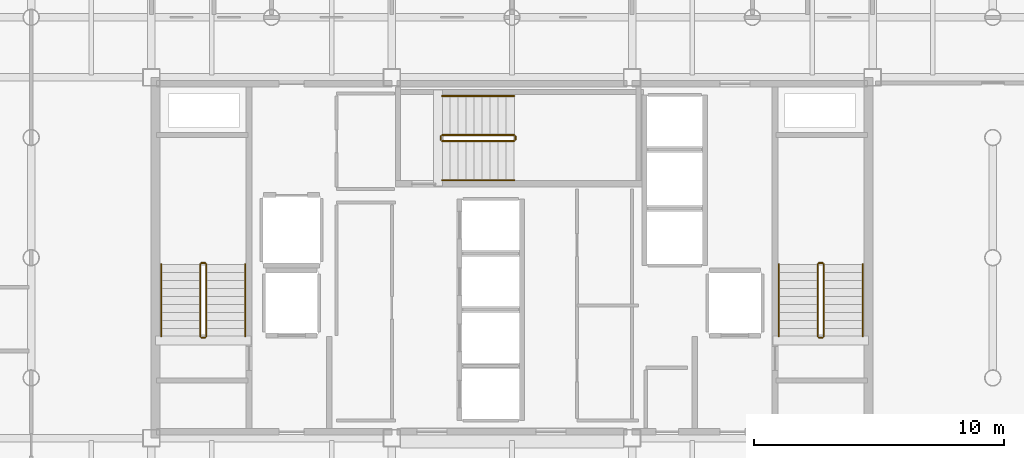
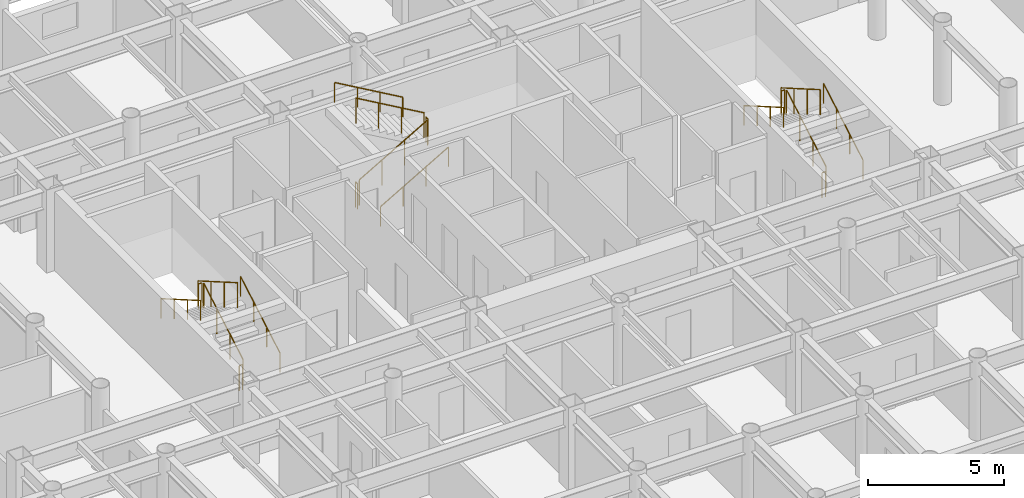
# One storey, part 20 of 20: 18 railings.
"""IFC4 building model written with IfcOpenShell, lengths in metres."""

from ifc_helpers import new_model, si_unit, direction, frame, origin, origin_2d, place, context, subcontext, project, spatial, circle, extrude, material, layer, layer_set, type_object, element, save


model = new_model("IFC4")

# Units and contexts
model_context = context("Model", 3, precision=1e-05, world=origin(), true_north=direction((0.0, 1.0)))
body_context = subcontext(model_context, "Body", "Model", "MODEL_VIEW")
ifc_project = project(units=[si_unit("LENGTHUNIT", "METRE"), si_unit("AREAUNIT", "SQUARE_METRE"), si_unit("VOLUMEUNIT", "CUBIC_METRE"), si_unit("PLANEANGLEUNIT", "RADIAN"), si_unit("MASSUNIT", "GRAM", prefix="KILO")], contexts=[model_context])

# Site, building, storey
site_placement = place(None, origin())
site = spatial("IfcSite", under=ifc_project, at=site_placement, CompositionType="ELEMENT")
building_placement = place(site_placement, origin())
building = spatial("IfcBuilding", under=site, at=building_placement, Name="Kallvorn Hotel Tower", CompositionType="ELEMENT")
storey_placement = place(building_placement, frame((0.0, 0.0, 158.10009765625)))
storey = spatial("IfcBuildingStorey", under=building, at=storey_placement, Name="L39", CompositionType="ELEMENT", Elevation=158.10009765625)

# Railings
ifc_material_1 = material(Name="Brushed stainless-steel tubular railing", Category="steel")
ifc_layer_1 = layer(ifc_material_1, 0.050048828125)
ifc_layer_set_1 = layer_set([ifc_layer_1], Name="RL_STAIR_GUARD")
railing_type_1 = type_object("IfcRailingType", Name="RL_STAIR_GUARD", PredefinedType="GUARDRAIL", material=ifc_layer_set_1)
railing_1_placement = place(storey_placement, frame((-12.2099609375, -3.139892578125, 0.184814453125)))
element("IfcRailing", 1, at=railing_1_placement, inside=storey, type_object=railing_type_1, Name="L39 ST1 stair guard 1", PredefinedType="GUARDRAIL", context=body_context, shape_type="SweptSolid", body=[
    extrude(circle(Radius=0.02392578125, at=origin_2d()), frame((0.0, 0.0, 1.1259765625), z_axis=(0.0, 0.865720918037, 0.500527014328), x_axis=(-1.0, 0.0, 0.0)), (0.0, 0.0, 1.0), 3.32666015625),
    extrude(circle(Radius=0.02099609375, at=origin_2d()), origin(), (0.0, 0.0, 1.0), 1.101806640625),
    extrude(circle(Radius=0.02099609375, at=origin_2d()), frame((0.0, 0.9599609375, 0.554931640625)), (0.0, 0.0, 1.0), 1.101806640625),
    extrude(circle(Radius=0.02099609375, at=origin_2d()), frame((0.0, 1.919921875, 1.110107421875)), (0.0, 0.0, 1.0), 1.101806640625),
    extrude(circle(Radius=0.02099609375, at=origin_2d()), frame((0.0, 2.8798828125, 1.6650390625)), (0.0, 0.0, 1.0), 1.101806640625),
])
railing_2_placement = place(storey_placement, frame((-12.260009765625, -0.2099609375, 1.849853515625)))
element("IfcRailing", 2, at=railing_2_placement, inside=storey, type_object=railing_type_1, Name="L39 ST1 stair guard 2", PredefinedType="GUARDRAIL", context=body_context, shape_type="SweptSolid", body=[
    extrude(circle(Radius=0.02392578125, at=origin_2d()), frame((0.0, 0.0, 1.1259765625), z_axis=(-1.0, 0.0, 0.0), x_axis=(0.0, -1.0, 0.0)), (0.0, 0.0, 1.0), 0.139892578125),
    extrude(circle(Radius=0.02099609375, at=origin_2d()), origin(), (0.0, 0.0, 1.0), 1.101806640625),
    extrude(circle(Radius=0.02099609375, at=origin_2d()), frame((-0.139892578125, 0.0, 0.0)), (0.0, 0.0, 1.0), 1.101806640625),
])
railing_3_placement = place(storey_placement, frame((-12.449951171875, -0.260009765625, 2.034912109375)))
element("IfcRailing", 3, at=railing_3_placement, inside=storey, type_object=railing_type_1, Name="L39 ST1 stair guard 3", PredefinedType="GUARDRAIL", context=body_context, shape_type="SweptSolid", body=[
    extrude(circle(Radius=0.02392578125, at=origin_2d()), frame((0.0, 0.0, 1.1259765625), z_axis=(0.0, -0.865720918037, 0.500527014328), x_axis=(1.0, 0.0, 0.0)), (0.0, 0.0, 1.0), 3.32666015625),
    extrude(circle(Radius=0.02099609375, at=origin_2d()), origin(), (0.0, 0.0, 1.0), 1.101806640625),
    extrude(circle(Radius=0.02099609375, at=origin_2d()), frame((0.0, -0.9599609375, 0.554931640625)), (0.0, 0.0, 1.0), 1.101806640625),
    extrude(circle(Radius=0.02099609375, at=origin_2d()), frame((0.0, -1.919921875, 1.110107421875)), (0.0, 0.0, 1.0), 1.101806640625),
    extrude(circle(Radius=0.02099609375, at=origin_2d()), frame((0.0, -2.8798828125, 1.6650390625)), (0.0, 0.0, 1.0), 1.101806640625),
])
railing_4_placement = place(storey_placement, frame((-12.260009765625, -3.18994140625, 0.0)))
element("IfcRailing", 4, at=railing_4_placement, inside=storey, type_object=railing_type_1, Name="L39 ST1 stair guard 4", PredefinedType="GUARDRAIL", context=body_context, shape_type="SweptSolid", body=[
    extrude(circle(Radius=0.02392578125, at=origin_2d()), frame((0.0, 0.0, 1.1259765625), z_axis=(-1.0, 0.0, 0.0), x_axis=(0.0, -1.0, 0.0)), (0.0, 0.0, 1.0), 0.139892578125),
    extrude(circle(Radius=0.02099609375, at=origin_2d()), origin(), (0.0, 0.0, 1.0), 1.101806640625),
    extrude(circle(Radius=0.02099609375, at=origin_2d()), frame((-0.139892578125, 0.0, 0.0)), (0.0, 0.0, 1.0), 1.101806640625),
])
railing_5_placement = place(storey_placement, frame((12.449951171875, -3.139892578125, 0.184814453125)))
element("IfcRailing", 5, at=railing_5_placement, inside=storey, type_object=railing_type_1, Name="L39 ST2 stair guard 1", PredefinedType="GUARDRAIL", context=body_context, shape_type="SweptSolid", body=[
    extrude(circle(Radius=0.02392578125, at=origin_2d()), frame((0.0, 0.0, 1.1259765625), z_axis=(0.0, 0.865720918037, 0.500527014328), x_axis=(-1.0, 0.0, 0.0)), (0.0, 0.0, 1.0), 3.32666015625),
    extrude(circle(Radius=0.02099609375, at=origin_2d()), origin(), (0.0, 0.0, 1.0), 1.101806640625),
    extrude(circle(Radius=0.02099609375, at=origin_2d()), frame((0.0, 0.9599609375, 0.554931640625)), (0.0, 0.0, 1.0), 1.101806640625),
    extrude(circle(Radius=0.02099609375, at=origin_2d()), frame((0.0, 1.919921875, 1.110107421875)), (0.0, 0.0, 1.0), 1.101806640625),
    extrude(circle(Radius=0.02099609375, at=origin_2d()), frame((0.0, 2.8798828125, 1.6650390625)), (0.0, 0.0, 1.0), 1.101806640625),
])
railing_6_placement = place(storey_placement, frame((12.39990234375, -0.2099609375, 1.849853515625)))
element("IfcRailing", 6, at=railing_6_placement, inside=storey, type_object=railing_type_1, Name="L39 ST2 stair guard 2", PredefinedType="GUARDRAIL", context=body_context, shape_type="SweptSolid", body=[
    extrude(circle(Radius=0.02392578125, at=origin_2d()), frame((0.0, 0.0, 1.1259765625), z_axis=(-1.0, 0.0, 0.0), x_axis=(0.0, -1.0, 0.0)), (0.0, 0.0, 1.0), 0.139892578125),
    extrude(circle(Radius=0.02099609375, at=origin_2d()), origin(), (0.0, 0.0, 1.0), 1.101806640625),
    extrude(circle(Radius=0.02099609375, at=origin_2d()), frame((-0.139892578125, 0.0, 0.0)), (0.0, 0.0, 1.0), 1.101806640625),
])
railing_7_placement = place(storey_placement, frame((12.2099609375, -0.260009765625, 2.034912109375)))
element("IfcRailing", 7, at=railing_7_placement, inside=storey, type_object=railing_type_1, Name="L39 ST2 stair guard 3", PredefinedType="GUARDRAIL", context=body_context, shape_type="SweptSolid", body=[
    extrude(circle(Radius=0.02392578125, at=origin_2d()), frame((0.0, 0.0, 1.1259765625), z_axis=(0.0, -0.865720918037, 0.500527014328), x_axis=(1.0, 0.0, 0.0)), (0.0, 0.0, 1.0), 3.32666015625),
    extrude(circle(Radius=0.02099609375, at=origin_2d()), origin(), (0.0, 0.0, 1.0), 1.101806640625),
    extrude(circle(Radius=0.02099609375, at=origin_2d()), frame((0.0, -0.9599609375, 0.554931640625)), (0.0, 0.0, 1.0), 1.101806640625),
    extrude(circle(Radius=0.02099609375, at=origin_2d()), frame((0.0, -1.919921875, 1.110107421875)), (0.0, 0.0, 1.0), 1.101806640625),
    extrude(circle(Radius=0.02099609375, at=origin_2d()), frame((0.0, -2.8798828125, 1.6650390625)), (0.0, 0.0, 1.0), 1.101806640625),
])
railing_8_placement = place(storey_placement, frame((12.39990234375, -3.18994140625, 0.0)))
element("IfcRailing", 8, at=railing_8_placement, inside=storey, type_object=railing_type_1, Name="L39 ST2 stair guard 4", PredefinedType="GUARDRAIL", context=body_context, shape_type="SweptSolid", body=[
    extrude(circle(Radius=0.02392578125, at=origin_2d()), frame((0.0, 0.0, 1.1259765625), z_axis=(-1.0, 0.0, 0.0), x_axis=(0.0, -1.0, 0.0)), (0.0, 0.0, 1.0), 0.139892578125),
    extrude(circle(Radius=0.02099609375, at=origin_2d()), origin(), (0.0, 0.0, 1.0), 1.101806640625),
    extrude(circle(Radius=0.02099609375, at=origin_2d()), frame((-0.139892578125, 0.0, 0.0)), (0.0, 0.0, 1.0), 1.101806640625),
])
railing_9_placement = place(storey_placement, frame((-2.7900390625, 4.659912109375, 0.184814453125)))
element("IfcRailing", 9, at=railing_9_placement, inside=storey, type_object=railing_type_1, Name="L39 ST3 stair guard 1", PredefinedType="GUARDRAIL", context=body_context, shape_type="SweptSolid", body=[
    extrude(circle(Radius=0.02392578125, at=origin_2d()), frame((0.0, 0.0, 1.1259765625), z_axis=(0.865739302748, 0.0, 0.50049521444), x_axis=(0.0, 1.0, 0.0)), (0.0, 0.0, 1.0), 3.326904296875),
    extrude(circle(Radius=0.02099609375, at=origin_2d()), origin(), (0.0, 0.0, 1.0), 1.101806640625),
    extrude(circle(Radius=0.02099609375, at=origin_2d()), frame((0.9599609375, 0.0, 0.554931640625)), (0.0, 0.0, 1.0), 1.101806640625),
    extrude(circle(Radius=0.02099609375, at=origin_2d()), frame((1.920166015625, 0.0, 1.110107421875)), (0.0, 0.0, 1.0), 1.101806640625),
    extrude(circle(Radius=0.02099609375, at=origin_2d()), frame((2.880126953125, 0.0, 1.6650390625)), (0.0, 0.0, 1.0), 1.101806640625),
])
railing_10_placement = place(storey_placement, frame((0.139892578125, 4.7099609375, 1.849853515625)))
element("IfcRailing", 10, at=railing_10_placement, inside=storey, type_object=railing_type_1, Name="L39 ST3 stair guard 2", PredefinedType="GUARDRAIL", context=body_context, shape_type="SweptSolid", body=[
    extrude(circle(Radius=0.02392578125, at=origin_2d()), frame((0.0, 0.0, 1.1259765625), z_axis=(0.0, 1.0, 0.0), x_axis=(-1.0, 0.0, 0.0)), (0.0, 0.0, 1.0), 0.14013671875),
    extrude(circle(Radius=0.02099609375, at=origin_2d()), origin(), (0.0, 0.0, 1.0), 1.101806640625),
    extrude(circle(Radius=0.02099609375, at=origin_2d()), frame((0.0, 0.14013671875, 0.0)), (0.0, 0.0, 1.0), 1.101806640625),
])
railing_11_placement = place(storey_placement, frame((0.090087890625, 4.89990234375, 2.034912109375)))
element("IfcRailing", 11, at=railing_11_placement, inside=storey, type_object=railing_type_1, Name="L39 ST3 stair guard 3", PredefinedType="GUARDRAIL", context=body_context, shape_type="SweptSolid", body=[
    extrude(circle(Radius=0.02392578125, at=origin_2d()), frame((0.0, 0.0, 1.1259765625), z_axis=(-0.865739302748, 0.0, 0.50049521444), x_axis=(0.0, -1.0, 0.0)), (0.0, 0.0, 1.0), 3.326904296875),
    extrude(circle(Radius=0.02099609375, at=origin_2d()), origin(), (0.0, 0.0, 1.0), 1.101806640625),
    extrude(circle(Radius=0.02099609375, at=origin_2d()), frame((-0.9599609375, 0.0, 0.554931640625)), (0.0, 0.0, 1.0), 1.101806640625),
    extrude(circle(Radius=0.02099609375, at=origin_2d()), frame((-1.920166015625, 0.0, 1.110107421875)), (0.0, 0.0, 1.0), 1.101806640625),
    extrude(circle(Radius=0.02099609375, at=origin_2d()), frame((-2.880126953125, 0.0, 1.6650390625)), (0.0, 0.0, 1.0), 1.101806640625),
])
railing_12_placement = place(storey_placement, frame((-2.840087890625, 4.7099609375, 0.0)))
element("IfcRailing", 12, at=railing_12_placement, inside=storey, type_object=railing_type_1, Name="L39 ST3 stair guard 4", PredefinedType="GUARDRAIL", context=body_context, shape_type="SweptSolid", body=[
    extrude(circle(Radius=0.02392578125, at=origin_2d()), frame((0.0, 0.0, 1.1259765625), z_axis=(0.0, 1.0, 0.0), x_axis=(-1.0, 0.0, 0.0)), (0.0, 0.0, 1.0), 0.14013671875),
    extrude(circle(Radius=0.02099609375, at=origin_2d()), origin(), (0.0, 0.0, 1.0), 1.101806640625),
    extrude(circle(Radius=0.02099609375, at=origin_2d()), frame((0.0, 0.14013671875, 0.0)), (0.0, 0.0, 1.0), 1.101806640625),
])
ifc_material_2 = material(Name="Brushed stainless-steel tubular railing", Category="steel")
ifc_layer_2 = layer(ifc_material_2, 0.050048828125)
ifc_layer_set_2 = layer_set([ifc_layer_2], Name="RL_STAIR_HAND")
railing_type_2 = type_object("IfcRailingType", Name="RL_STAIR_HAND", PredefinedType="HANDRAIL", material=ifc_layer_set_2)
railing_13_placement = place(storey_placement, frame((-10.64990234375, -3.139892578125, 0.184814453125)))
element("IfcRailing", 13, at=railing_13_placement, inside=storey, type_object=railing_type_2, Name="L39 ST1 stair handrail 1", PredefinedType="HANDRAIL", context=body_context, shape_type="SweptSolid", body=[
    extrude(circle(Radius=0.02392578125, at=origin_2d()), frame((0.0, 0.0, 0.8759765625), z_axis=(0.0, 0.865720918037, 0.500527014328), x_axis=(-1.0, 0.0, 0.0)), (0.0, 0.0, 1.0), 3.32666015625),
    extrude(circle(Radius=0.02099609375, at=origin_2d()), origin(), (0.0, 0.0, 1.0), 0.851806640625),
    extrude(circle(Radius=0.02099609375, at=origin_2d()), frame((0.0, 0.9599609375, 0.554931640625)), (0.0, 0.0, 1.0), 0.851806640625),
    extrude(circle(Radius=0.02099609375, at=origin_2d()), frame((0.0, 1.919921875, 1.110107421875)), (0.0, 0.0, 1.0), 0.851806640625),
    extrude(circle(Radius=0.02099609375, at=origin_2d()), frame((0.0, 2.8798828125, 1.6650390625)), (0.0, 0.0, 1.0), 0.851806640625),
])
railing_14_placement = place(storey_placement, frame((-14.010009765625, -0.260009765625, 2.034912109375)))
element("IfcRailing", 14, at=railing_14_placement, inside=storey, type_object=railing_type_2, Name="L39 ST1 stair handrail 2", PredefinedType="HANDRAIL", context=body_context, shape_type="SweptSolid", body=[
    extrude(circle(Radius=0.02392578125, at=origin_2d()), frame((0.0, 0.0, 0.8759765625), z_axis=(0.0, -0.865720918037, 0.500527014328), x_axis=(1.0, 0.0, 0.0)), (0.0, 0.0, 1.0), 3.32666015625),
    extrude(circle(Radius=0.02099609375, at=origin_2d()), origin(), (0.0, 0.0, 1.0), 0.851806640625),
    extrude(circle(Radius=0.02099609375, at=origin_2d()), frame((0.0, -0.9599609375, 0.554931640625)), (0.0, 0.0, 1.0), 0.851806640625),
    extrude(circle(Radius=0.02099609375, at=origin_2d()), frame((0.0, -1.919921875, 1.110107421875)), (0.0, 0.0, 1.0), 0.851806640625),
    extrude(circle(Radius=0.02099609375, at=origin_2d()), frame((0.0, -2.8798828125, 1.6650390625)), (0.0, 0.0, 1.0), 0.851806640625),
])
railing_15_placement = place(storey_placement, frame((14.010009765625, -3.139892578125, 0.184814453125)))
element("IfcRailing", 15, at=railing_15_placement, inside=storey, type_object=railing_type_2, Name="L39 ST2 stair handrail 1", PredefinedType="HANDRAIL", context=body_context, shape_type="SweptSolid", body=[
    extrude(circle(Radius=0.02392578125, at=origin_2d()), frame((0.0, 0.0, 0.8759765625), z_axis=(0.0, 0.865720918037, 0.500527014328), x_axis=(-1.0, 0.0, 0.0)), (0.0, 0.0, 1.0), 3.32666015625),
    extrude(circle(Radius=0.02099609375, at=origin_2d()), origin(), (0.0, 0.0, 1.0), 0.851806640625),
    extrude(circle(Radius=0.02099609375, at=origin_2d()), frame((0.0, 0.9599609375, 0.554931640625)), (0.0, 0.0, 1.0), 0.851806640625),
    extrude(circle(Radius=0.02099609375, at=origin_2d()), frame((0.0, 1.919921875, 1.110107421875)), (0.0, 0.0, 1.0), 0.851806640625),
    extrude(circle(Radius=0.02099609375, at=origin_2d()), frame((0.0, 2.8798828125, 1.6650390625)), (0.0, 0.0, 1.0), 0.851806640625),
])
railing_16_placement = place(storey_placement, frame((10.64990234375, -0.260009765625, 2.034912109375)))
element("IfcRailing", 16, at=railing_16_placement, inside=storey, type_object=railing_type_2, Name="L39 ST2 stair handrail 2", PredefinedType="HANDRAIL", context=body_context, shape_type="SweptSolid", body=[
    extrude(circle(Radius=0.02392578125, at=origin_2d()), frame((0.0, 0.0, 0.8759765625), z_axis=(0.0, -0.865720918037, 0.500527014328), x_axis=(1.0, 0.0, 0.0)), (0.0, 0.0, 1.0), 3.32666015625),
    extrude(circle(Radius=0.02099609375, at=origin_2d()), origin(), (0.0, 0.0, 1.0), 0.851806640625),
    extrude(circle(Radius=0.02099609375, at=origin_2d()), frame((0.0, -0.9599609375, 0.554931640625)), (0.0, 0.0, 1.0), 0.851806640625),
    extrude(circle(Radius=0.02099609375, at=origin_2d()), frame((0.0, -1.919921875, 1.110107421875)), (0.0, 0.0, 1.0), 0.851806640625),
    extrude(circle(Radius=0.02099609375, at=origin_2d()), frame((0.0, -2.8798828125, 1.6650390625)), (0.0, 0.0, 1.0), 0.851806640625),
])
railing_17_placement = place(storey_placement, frame((-2.7900390625, 3.10009765625, 0.184814453125)))
element("IfcRailing", 17, at=railing_17_placement, inside=storey, type_object=railing_type_2, Name="L39 ST3 stair handrail 1", PredefinedType="HANDRAIL", context=body_context, shape_type="SweptSolid", body=[
    extrude(circle(Radius=0.02392578125, at=origin_2d()), frame((0.0, 0.0, 0.8759765625), z_axis=(0.865739302748, 0.0, 0.50049521444), x_axis=(0.0, 1.0, 0.0)), (0.0, 0.0, 1.0), 3.326904296875),
    extrude(circle(Radius=0.02099609375, at=origin_2d()), origin(), (0.0, 0.0, 1.0), 0.851806640625),
    extrude(circle(Radius=0.02099609375, at=origin_2d()), frame((0.9599609375, 0.0, 0.554931640625)), (0.0, 0.0, 1.0), 0.851806640625),
    extrude(circle(Radius=0.02099609375, at=origin_2d()), frame((1.920166015625, 0.0, 1.110107421875)), (0.0, 0.0, 1.0), 0.851806640625),
    extrude(circle(Radius=0.02099609375, at=origin_2d()), frame((2.880126953125, 0.0, 1.6650390625)), (0.0, 0.0, 1.0), 0.851806640625),
])
railing_18_placement = place(storey_placement, frame((0.090087890625, 6.4599609375, 2.034912109375)))
element("IfcRailing", 18, at=railing_18_placement, inside=storey, type_object=railing_type_2, Name="L39 ST3 stair handrail 2", PredefinedType="HANDRAIL", context=body_context, shape_type="SweptSolid", body=[
    extrude(circle(Radius=0.02392578125, at=origin_2d()), frame((0.0, 0.0, 0.8759765625), z_axis=(-0.865739302748, 0.0, 0.50049521444), x_axis=(0.0, -1.0, 0.0)), (0.0, 0.0, 1.0), 3.326904296875),
    extrude(circle(Radius=0.02099609375, at=origin_2d()), origin(), (0.0, 0.0, 1.0), 0.851806640625),
    extrude(circle(Radius=0.02099609375, at=origin_2d()), frame((-0.9599609375, 0.0, 0.554931640625)), (0.0, 0.0, 1.0), 0.851806640625),
    extrude(circle(Radius=0.02099609375, at=origin_2d()), frame((-1.920166015625, 0.0, 1.110107421875)), (0.0, 0.0, 1.0), 0.851806640625),
    extrude(circle(Radius=0.02099609375, at=origin_2d()), frame((-2.880126953125, 0.0, 1.6650390625)), (0.0, 0.0, 1.0), 0.851806640625),
])

save(model, "model.ifc")
